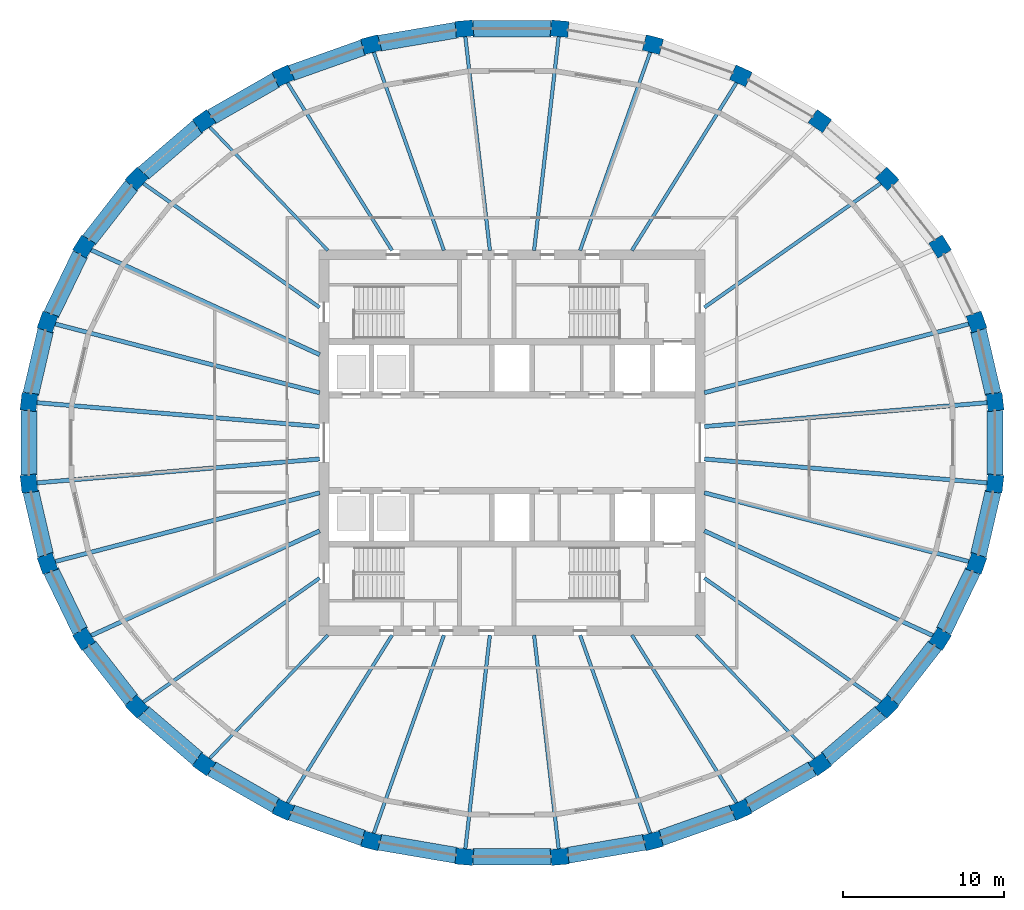
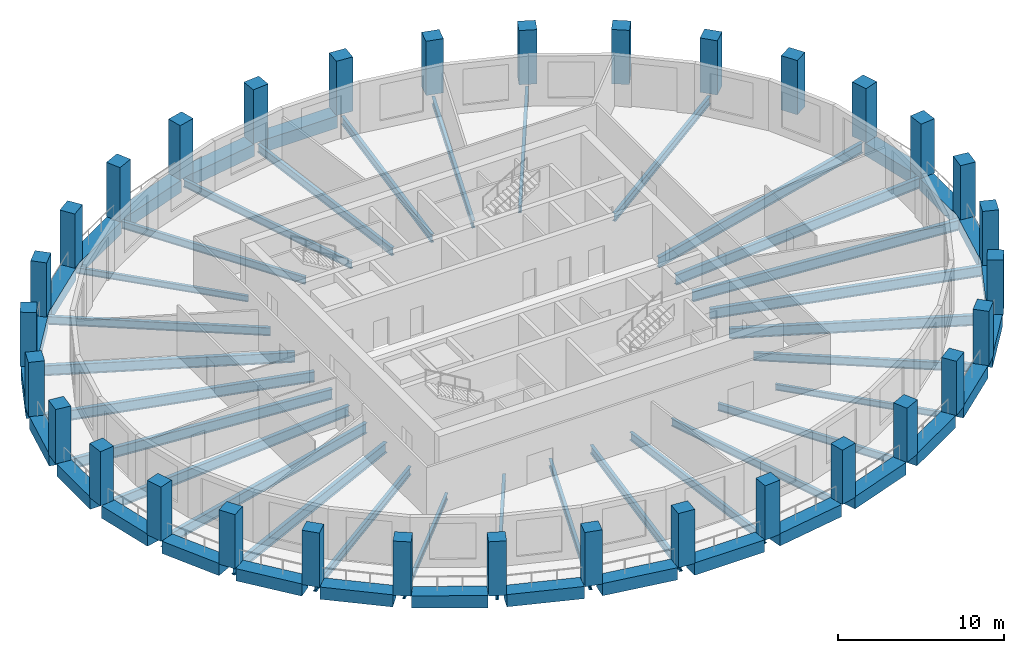
# One storey, part 1 of 10: 56 beams, 32 columns.
"""IFC4 building model written with IfcOpenShell, lengths in metres."""

from ifc_helpers import new_model, si_unit, direction, frame, origin, origin_2d, place, context, subcontext, project, spatial, rectangle, i_section, extrude, material, material_profile, profile_set, type_object, element, save


model = new_model("IFC4")

# Units and contexts
model_context = context("Model", 3, precision=1e-05, world=origin(), true_north=direction((0.0, 1.0)))
body_context = subcontext(model_context, "Body", "Model", "MODEL_VIEW")
ifc_project = project(units=[si_unit("LENGTHUNIT", "METRE"), si_unit("AREAUNIT", "SQUARE_METRE"), si_unit("VOLUMEUNIT", "CUBIC_METRE"), si_unit("PLANEANGLEUNIT", "RADIAN"), si_unit("MASSUNIT", "GRAM", prefix="KILO")], contexts=[model_context])

# Site, building, storey
site_placement = place(None, origin())
site = spatial("IfcSite", under=ifc_project, at=site_placement, CompositionType="ELEMENT")
building_placement = place(site_placement, origin())
building = spatial("IfcBuilding", under=site, at=building_placement, Name="Halqa Exchange Tower", CompositionType="ELEMENT")
storey_placement = place(building_placement, frame((0.0, 0.0, 256.300048828125)))
storey = spatial("IfcBuildingStorey", under=building, at=storey_placement, Name="L59", CompositionType="ELEMENT", Elevation=256.300048828125)

# Columns
ifc_material_1 = material(Name="Concrete C60/75", Category="concrete")
ifc_material_profile_1 = material_profile(ifc_material_1, rectangle(XDim=1.10009765625, YDim=1.0, at=origin_2d()), Name="1100 x 1000")
ifc_profile_set_1 = profile_set([ifc_material_profile_1], Name="Concrete C60/75")
column_type = type_object("IfcColumnType", Name="RC ring column 1100 x 1000 C60/75", PredefinedType="COLUMN", material=ifc_profile_set_1)
for number, where, z_axis, x_axis, name in (
    (1, (30.06494140625, 2.5380859375, 0.0), (0.0, 0.0, 1.0), (-0.114158655897, 0.993462531394, 0.0), "Ring column 1"),
    (2, (28.90966796875, 7.516845703125, 0.0), (0.0, 0.0, 1.0), (-0.333622588243, 0.942706724604, 0.0), "Ring column 2"),
    (3, (26.643310546875, 12.206787109375, 0.0), (0.0, 0.0, 1.0), (-0.529140496257, 0.848534227489, 0.0), "Ring column 3"),
    (4, (23.35302734375, 16.427490234375, 0.0), (0.0, 0.0, 1.0), (-0.691578612608, 0.722301199351, 0.0), "Ring column 4"),
    (5, (19.165283203125, 20.016845703125, 0.0), (0.0, 0.0, 1.0), (-0.817906779671, 0.575350762377, 0.0), "Ring column 5"),
    (6, (14.2412109375, 22.837158203125, 0.0), (0.0, 0.0, 1.0), (-0.909127822794, 0.416517228722, 0.0), "Ring column 6"),
    (7, (8.76953125, 24.77978515625, 0.0), (0.0, 0.0, 1.0), (-0.967820381973, 0.251642023988, 0.0), "Ring column 7"),
    (8, (2.961181640625, 25.77001953125, 0.0), (0.0, 0.0, 1.0), (-0.996455665803, 0.084119593962, 0.0), "Ring column 8"),
    (9, (-2.961181640625, 25.77001953125, 0.0), (0.0, 0.0, 1.0), (-0.996455665803, -0.084119593962, 0.0), "Ring column 9"),
    (10, (-8.76953125, 24.77978515625, 0.0), (0.0, 0.0, 1.0), (-0.967820381973, -0.251642023988, 0.0), "Ring column 10"),
    (11, (-14.2412109375, 22.837158203125, 0.0), (0.0, 0.0, 1.0), (-0.909127822794, -0.416517228722, 0.0), "Ring column 11"),
    (12, (-19.165283203125, 20.016845703125, 0.0), (0.0, 0.0, 1.0), (-0.817906779671, -0.575350762377, 0.0), "Ring column 12"),
    (13, (-23.35302734375, 16.427490234375, 0.0), (0.0, 0.0, 1.0), (-0.691578612608, -0.722301199351, 0.0), "Ring column 13"),
    (14, (-26.643310546875, 12.206787109375, 0.0), (0.0, 0.0, 1.0), (-0.529140496257, -0.848534227489, 0.0), "Ring column 14"),
    (15, (-28.90966796875, 7.516845703125, 0.0), (0.0, 0.0, 1.0), (-0.333622588243, -0.942706724604, 0.0), "Ring column 15"),
    (16, (-30.06494140625, 2.5380859375, 0.0), (0.0, 0.0, 1.0), (-0.114158655897, -0.993462531394, 0.0), "Ring column 16"),
    (17, (-30.06494140625, -2.5380859375, 0.0), (0.0, 0.0, 1.0), (0.114158655897, -0.993462531394, 0.0), "Ring column 17"),
    (18, (-28.90966796875, -7.516845703125, 0.0), (0.0, 0.0, 1.0), (0.333622588243, -0.942706724604, 0.0), "Ring column 18"),
    (19, (-26.643310546875, -12.206787109375, 0.0), (0.0, 0.0, 1.0), (0.529140496257, -0.848534227489, 0.0), "Ring column 19"),
    (20, (-23.35302734375, -16.427490234375, 0.0), (0.0, 0.0, 1.0), (0.691578612608, -0.722301199351, 0.0), "Ring column 20"),
    (21, (-19.165283203125, -20.016845703125, 0.0), (0.0, 0.0, 1.0), (0.817906779671, -0.575350762377, 0.0), "Ring column 21"),
    (22, (-14.2412109375, -22.837158203125, 0.0), (0.0, 0.0, 1.0), (0.909127822794, -0.416517228722, 0.0), "Ring column 22"),
    (23, (-8.76953125, -24.77978515625, 0.0), (0.0, 0.0, 1.0), (0.967820381973, -0.251642023988, 0.0), "Ring column 23"),
    (24, (-2.961181640625, -25.77001953125, 0.0), (0.0, 0.0, 1.0), (0.996455665803, -0.084119593962, 0.0), "Ring column 24"),
    (25, (2.961181640625, -25.77001953125, 0.0), (0.0, 0.0, 1.0), (0.996455665803, 0.084119593962, 0.0), "Ring column 25"),
    (26, (8.76953125, -24.77978515625, 0.0), (0.0, 0.0, 1.0), (0.967820381973, 0.251642023988, 0.0), "Ring column 26"),
    (27, (14.2412109375, -22.837158203125, 0.0), (0.0, 0.0, 1.0), (0.909127822794, 0.416517228722, 0.0), "Ring column 27"),
    (28, (19.165283203125, -20.016845703125, 0.0), (0.0, 0.0, 1.0), (0.817906779671, 0.575350762377, 0.0), "Ring column 28"),
    (29, (23.35302734375, -16.427490234375, 0.0), (0.0, 0.0, 1.0), (0.691578612608, 0.722301199351, 0.0), "Ring column 29"),
    (30, (26.643310546875, -12.206787109375, 0.0), (0.0, 0.0, 1.0), (0.529140496257, 0.848534227489, 0.0), "Ring column 30"),
    (31, (28.90966796875, -7.516845703125, 0.0), (0.0, 0.0, 1.0), (0.333622588243, 0.942706724604, 0.0), "Ring column 31"),
    (32, (30.06494140625, -2.5380859375, 0.0), (0.0, 0.0, 1.0), (0.114158655897, 0.993462531394, 0.0), "Ring column 32"),
):
    element("IfcColumn", number, at=place(storey_placement, frame(where, z_axis=z_axis, x_axis=x_axis)), inside=storey, type_object=column_type, Name=name, PredefinedType="COLUMN", context=body_context, shape_type="SweptSolid", body=[
        extrude(rectangle(XDim=1.10009765625, YDim=1.0, at=origin_2d()), origin(), (0.0, 0.0, 1.0), 4.0),
    ])

# Beams
ifc_material_2 = material(Name="Steel S355", Category="steel")
ifc_material_profile_2 = material_profile(ifc_material_2, i_section(OverallWidth=0.18994140625, OverallDepth=0.449951171875, WebThickness=0.009521484375, FlangeThickness=0.0146484375, FilletRadius=0.02099609375, at=origin_2d()), Name="IPE 450")
ifc_profile_set_2 = profile_set([ifc_material_profile_2], Name="Steel S355")
beam_type_1 = type_object("IfcBeamType", Name="Floor beam IPE 450", PredefinedType="BEAM", material=ifc_profile_set_2)
for number, where, z_axis, x_axis, name in (
    (33, (-11.462890625, 11.97216796875, -0.525146484375), (-0.691571250257, 0.722308248477, 0.0), (-0.722308248477, -0.691571250257, 0.0), "Radial beam 12"),
    (34, (-11.462890625, -11.97216796875, -0.525146484375), (-0.691571250257, -0.722308248477, 0.0), (0.722308248477, -0.691571250257, 0.0), "Radial beam 21"),
    (35, (11.462890625, -11.97216796875, -0.525146484375), (0.691571250257, -0.722308248477, 0.0), (0.722308248477, 0.691571250257, 0.0), "Radial beam 28"),
):
    element("IfcBeam", number, at=place(storey_placement, frame(where, z_axis=z_axis, x_axis=x_axis)), inside=storey, type_object=beam_type_1, Name=name, PredefinedType="BEAM", context=body_context, shape_type="SweptSolid", body=[
        extrude(i_section(OverallWidth=0.18994140625, OverallDepth=0.449951171875, WebThickness=0.009521484375, FlangeThickness=0.0146484375, FilletRadius=0.02099609375, at=origin_2d()), origin(), (0.0, 0.0, 1.0), 10.8896484375),
    ])
ifc_material_profile_3 = material_profile(ifc_material_2, i_section(OverallWidth=0.2099609375, OverallDepth=0.550048828125, WebThickness=0.010986328125, FlangeThickness=0.01708984375, FilletRadius=0.02392578125, at=origin_2d()), Name="IPE 550")
ifc_profile_set_3 = profile_set([ifc_material_profile_3], Name="Steel S355")
beam_type_2 = type_object("IfcBeamType", Name="Floor beam IPE 550", PredefinedType="BEAM", material=ifc_profile_set_3)
beam_1_placement = place(storey_placement, frame((7.46533203125, 11.971435546875, -0.574951171875), z_axis=(0.529149067811, 0.848528882263, 0.0), x_axis=(-0.848528882263, 0.529149067811, 0.0)))
element("IfcBeam", 36, at=beam_1_placement, inside=storey, type_object=beam_type_2, Name="Radial beam 6", PredefinedType="BEAM", context=body_context, shape_type="SweptSolid", body=[
    extrude(i_section(OverallWidth=0.2099609375, OverallDepth=0.550048828125, WebThickness=0.010986328125, FlangeThickness=0.01708984375, FilletRadius=0.02392578125, at=origin_2d()), origin(), (0.0, 0.0, 1.0), 12.55322265625),
])
for number, where, z_axis, x_axis, name in (
    (37, (4.23681640625, 11.971923828125, -0.574951171875), (0.333635977783, 0.942701985958, 0.0), (-0.942701985958, 0.333635977783, 0.0), "Radial beam 7"),
    (38, (-4.23681640625, 11.971923828125, -0.574951171875), (-0.333635977783, 0.942701985958, 0.0), (-0.942701985958, -0.333635977783, 0.0), "Radial beam 10"),
):
    element("IfcBeam", number, at=place(storey_placement, frame(where, z_axis=z_axis, x_axis=x_axis)), inside=storey, type_object=beam_type_2, Name=name, PredefinedType="BEAM", context=body_context, shape_type="SweptSolid", body=[
        extrude(i_section(OverallWidth=0.2099609375, OverallDepth=0.550048828125, WebThickness=0.010986328125, FlangeThickness=0.01708984375, FilletRadius=0.02392578125, at=origin_2d()), origin(), (0.0, 0.0, 1.0), 13.333984375),
    ])
for number, where, z_axis, x_axis, name in (
    (39, (-7.46533203125, 11.971435546875, -0.574951171875), (-0.529149067811, 0.848528882263, 0.0), (-0.848528882263, -0.529149067811, 0.0), "Radial beam 11"),
    (40, (-7.46533203125, -11.971435546875, -0.574951171875), (-0.529149067811, -0.848528882263, 0.0), (0.848528882263, -0.529149067811, 0.0), "Radial beam 22"),
):
    element("IfcBeam", number, at=place(storey_placement, frame(where, z_axis=z_axis, x_axis=x_axis)), inside=storey, type_object=beam_type_2, Name=name, PredefinedType="BEAM", context=body_context, shape_type="SweptSolid", body=[
        extrude(i_section(OverallWidth=0.2099609375, OverallDepth=0.550048828125, WebThickness=0.010986328125, FlangeThickness=0.01708984375, FilletRadius=0.02392578125, at=origin_2d()), origin(), (0.0, 0.0, 1.0), 12.55322265625),
    ])
for number, where, z_axis, x_axis, name in (
    (41, (-4.23681640625, -11.971923828125, -0.574951171875), (-0.333635977783, -0.942701985958, 0.0), (0.942701985958, -0.333635977783, 0.0), "Radial beam 23"),
    (42, (4.23681640625, -11.971923828125, -0.574951171875), (0.333635977783, -0.942701985958, 0.0), (0.942701985958, 0.333635977783, 0.0), "Radial beam 26"),
):
    element("IfcBeam", number, at=place(storey_placement, frame(where, z_axis=z_axis, x_axis=x_axis)), inside=storey, type_object=beam_type_2, Name=name, PredefinedType="BEAM", context=body_context, shape_type="SweptSolid", body=[
        extrude(i_section(OverallWidth=0.2099609375, OverallDepth=0.550048828125, WebThickness=0.010986328125, FlangeThickness=0.01708984375, FilletRadius=0.02392578125, at=origin_2d()), origin(), (0.0, 0.0, 1.0), 13.333984375),
    ])
beam_2_placement = place(storey_placement, frame((7.46533203125, -11.971435546875, -0.574951171875), z_axis=(0.529149067811, -0.848528882263, 0.0), x_axis=(0.848528882263, 0.529149067811, 0.0)))
element("IfcBeam", 43, at=beam_2_placement, inside=storey, type_object=beam_type_2, Name="Radial beam 27", PredefinedType="BEAM", context=body_context, shape_type="SweptSolid", body=[
    extrude(i_section(OverallWidth=0.2099609375, OverallDepth=0.550048828125, WebThickness=0.010986328125, FlangeThickness=0.01708984375, FilletRadius=0.02392578125, at=origin_2d()), origin(), (0.0, 0.0, 1.0), 12.55322265625),
])
ifc_material_profile_4 = material_profile(ifc_material_2, i_section(OverallWidth=0.219970703125, OverallDepth=0.60009765625, WebThickness=0.011962890625, FlangeThickness=0.01904296875, FilletRadius=0.02392578125, at=origin_2d()), Name="IPE 600")
ifc_profile_set_4 = profile_set([ifc_material_profile_4], Name="Steel S355")
beam_type_3 = type_object("IfcBeamType", Name="Floor beam IPE 600", PredefinedType="BEAM", material=ifc_profile_set_4)
beam_3_placement = place(storey_placement, frame((11.972412109375, 8.421875, -0.60009765625), z_axis=(0.817903224898, 0.575355815737, 0.0), x_axis=(-0.575355815737, 0.817903224898, 0.0)))
element("IfcBeam", 44, at=beam_3_placement, inside=storey, type_object=beam_type_3, Name="Radial beam 4", PredefinedType="BEAM", context=body_context, shape_type="SweptSolid", body=[
    extrude(i_section(OverallWidth=0.219970703125, OverallDepth=0.60009765625, WebThickness=0.011962890625, FlangeThickness=0.01904296875, FilletRadius=0.02392578125, at=origin_2d()), origin(), (0.0, 0.0, 1.0), 13.670166015625),
])
for number, where, z_axis, x_axis, name in (
    (45, (1.375732421875, 11.972412109375, -0.60009765625), (0.114153092287, 0.993463170692, 0.0), (-0.993463170692, 0.114153092287, 0.0), "Radial beam 8"),
    (46, (-1.375732421875, 11.972412109375, -0.60009765625), (-0.114153092287, 0.993463170692, 0.0), (-0.993463170692, -0.114153092287, 0.0), "Radial beam 9"),
):
    element("IfcBeam", number, at=place(storey_placement, frame(where, z_axis=z_axis, x_axis=x_axis)), inside=storey, type_object=beam_type_3, Name=name, PredefinedType="BEAM", context=body_context, shape_type="SweptSolid", body=[
        extrude(i_section(OverallWidth=0.219970703125, OverallDepth=0.60009765625, WebThickness=0.011962890625, FlangeThickness=0.01904296875, FilletRadius=0.02392578125, at=origin_2d()), origin(), (0.0, 0.0, 1.0), 13.63427734375),
    ])
for number, where, z_axis, x_axis, name in (
    (47, (-11.972412109375, 8.421875, -0.60009765625), (-0.817903224898, 0.575355815737, 0.0), (-0.575355815737, -0.817903224898, 0.0), "Radial beam 13"),
    (48, (-11.972412109375, -8.421875, -0.60009765625), (-0.817903224898, -0.575355815737, 0.0), (0.575355815737, -0.817903224898, 0.0), "Radial beam 20"),
):
    element("IfcBeam", number, at=place(storey_placement, frame(where, z_axis=z_axis, x_axis=x_axis)), inside=storey, type_object=beam_type_3, Name=name, PredefinedType="BEAM", context=body_context, shape_type="SweptSolid", body=[
        extrude(i_section(OverallWidth=0.219970703125, OverallDepth=0.60009765625, WebThickness=0.011962890625, FlangeThickness=0.01904296875, FilletRadius=0.02392578125, at=origin_2d()), origin(), (0.0, 0.0, 1.0), 13.670166015625),
    ])
for number, where, z_axis, x_axis, name in (
    (49, (-1.375732421875, -11.972412109375, -0.60009765625), (-0.114153092287, -0.993463170692, 0.0), (0.993463170692, -0.114153092287, 0.0), "Radial beam 24"),
    (50, (1.375732421875, -11.972412109375, -0.60009765625), (0.114153092287, -0.993463170692, 0.0), (0.993463170692, 0.114153092287, 0.0), "Radial beam 25"),
):
    element("IfcBeam", number, at=place(storey_placement, frame(where, z_axis=z_axis, x_axis=x_axis)), inside=storey, type_object=beam_type_3, Name=name, PredefinedType="BEAM", context=body_context, shape_type="SweptSolid", body=[
        extrude(i_section(OverallWidth=0.219970703125, OverallDepth=0.60009765625, WebThickness=0.011962890625, FlangeThickness=0.01904296875, FilletRadius=0.02392578125, at=origin_2d()), origin(), (0.0, 0.0, 1.0), 13.63427734375),
    ])
beam_4_placement = place(storey_placement, frame((11.972412109375, -8.421875, -0.60009765625), z_axis=(0.817903224898, -0.575355815737, 0.0), x_axis=(0.575355815737, 0.817903224898, 0.0)))
element("IfcBeam", 51, at=beam_4_placement, inside=storey, type_object=beam_type_3, Name="Radial beam 29", PredefinedType="BEAM", context=body_context, shape_type="SweptSolid", body=[
    extrude(i_section(OverallWidth=0.219970703125, OverallDepth=0.60009765625, WebThickness=0.011962890625, FlangeThickness=0.01904296875, FilletRadius=0.02392578125, at=origin_2d()), origin(), (0.0, 0.0, 1.0), 13.670166015625),
])
ifc_material_profile_5 = material_profile(ifc_material_2, i_section(OverallWidth=0.264892578125, OverallDepth=0.7529296875, WebThickness=0.01318359375, FlangeThickness=0.01708984375, FilletRadius=0.01708984375, at=origin_2d()), Name="IPE 750x147")
ifc_profile_set_5 = profile_set([ifc_material_profile_5], Name="Steel S355")
beam_type_4 = type_object("IfcBeamType", Name="Floor beam IPE 750x147", PredefinedType="BEAM", material=ifc_profile_set_5)
beam_5_placement = place(storey_placement, frame((11.972900390625, 1.0107421875, -0.676513671875), z_axis=(0.996455563902, 0.084120801042, 0.0), x_axis=(-0.084120801042, 0.996455563902, 0.0)))
element("IfcBeam", 52, at=beam_5_placement, inside=storey, type_object=beam_type_4, Name="Radial beam 1", PredefinedType="BEAM", context=body_context, shape_type="SweptSolid", body=[
    extrude(i_section(OverallWidth=0.264892578125, OverallDepth=0.7529296875, WebThickness=0.01318359375, FlangeThickness=0.01708984375, FilletRadius=0.01708984375, at=origin_2d()), origin(), (0.0, 0.0, 1.0), 17.92431640625),
])
beam_6_placement = place(storey_placement, frame((11.97265625, 3.113037109375, -0.676513671875), z_axis=(0.96781864941, 0.25164868737, 0.0), x_axis=(-0.25164868737, 0.96781864941, 0.0)))
element("IfcBeam", 53, at=beam_6_placement, inside=storey, type_object=beam_type_4, Name="Radial beam 2", PredefinedType="BEAM", context=body_context, shape_type="SweptSolid", body=[
    extrude(i_section(OverallWidth=0.264892578125, OverallDepth=0.7529296875, WebThickness=0.01318359375, FlangeThickness=0.01708984375, FilletRadius=0.01708984375, at=origin_2d()), origin(), (0.0, 0.0, 1.0), 17.26416015625),
])
beam_7_placement = place(storey_placement, frame((-11.972412109375, 5.485107421875, -0.676513671875), z_axis=(-0.909125405475, 0.416522504938, 0.0), x_axis=(-0.416522504938, -0.909125405475, 0.0)))
element("IfcBeam", 54, at=beam_7_placement, inside=storey, type_object=beam_type_4, Name="Radial beam 14", PredefinedType="BEAM", context=body_context, shape_type="SweptSolid", body=[
    extrude(i_section(OverallWidth=0.264892578125, OverallDepth=0.7529296875, WebThickness=0.01318359375, FlangeThickness=0.01708984375, FilletRadius=0.01708984375, at=origin_2d()), origin(), (0.0, 0.0, 1.0), 15.897216796875),
])
beam_8_placement = place(storey_placement, frame((-11.97265625, 3.113037109375, -0.676513671875), z_axis=(-0.96781864941, 0.25164868737, 0.0), x_axis=(-0.25164868737, -0.96781864941, 0.0)))
element("IfcBeam", 55, at=beam_8_placement, inside=storey, type_object=beam_type_4, Name="Radial beam 15", PredefinedType="BEAM", context=body_context, shape_type="SweptSolid", body=[
    extrude(i_section(OverallWidth=0.264892578125, OverallDepth=0.7529296875, WebThickness=0.01318359375, FlangeThickness=0.01708984375, FilletRadius=0.01708984375, at=origin_2d()), origin(), (0.0, 0.0, 1.0), 17.26416015625),
])
for number, where, z_axis, x_axis, name in (
    (56, (-11.972900390625, 1.0107421875, -0.676513671875), (-0.996455563902, 0.084120801042, 0.0), (-0.084120801042, -0.996455563902, 0.0), "Radial beam 16"),
    (57, (-11.972900390625, -1.0107421875, -0.676513671875), (-0.996455563902, -0.084120801042, 0.0), (0.084120801042, -0.996455563902, 0.0), "Radial beam 17"),
):
    element("IfcBeam", number, at=place(storey_placement, frame(where, z_axis=z_axis, x_axis=x_axis)), inside=storey, type_object=beam_type_4, Name=name, PredefinedType="BEAM", context=body_context, shape_type="SweptSolid", body=[
        extrude(i_section(OverallWidth=0.264892578125, OverallDepth=0.7529296875, WebThickness=0.01318359375, FlangeThickness=0.01708984375, FilletRadius=0.01708984375, at=origin_2d()), origin(), (0.0, 0.0, 1.0), 17.92431640625),
    ])
beam_9_placement = place(storey_placement, frame((-11.97265625, -3.113037109375, -0.676513671875), z_axis=(-0.96781864941, -0.25164868737, 0.0), x_axis=(0.25164868737, -0.96781864941, 0.0)))
element("IfcBeam", 58, at=beam_9_placement, inside=storey, type_object=beam_type_4, Name="Radial beam 18", PredefinedType="BEAM", context=body_context, shape_type="SweptSolid", body=[
    extrude(i_section(OverallWidth=0.264892578125, OverallDepth=0.7529296875, WebThickness=0.01318359375, FlangeThickness=0.01708984375, FilletRadius=0.01708984375, at=origin_2d()), origin(), (0.0, 0.0, 1.0), 17.26416015625),
])
for number, where, z_axis, x_axis, name in (
    (59, (-11.972412109375, -5.485107421875, -0.676513671875), (-0.909125405475, -0.416522504938, 0.0), (0.416522504938, -0.909125405475, 0.0), "Radial beam 19"),
    (60, (11.972412109375, -5.485107421875, -0.676513671875), (0.909125405475, -0.416522504938, 0.0), (0.416522504938, 0.909125405475, 0.0), "Radial beam 30"),
):
    element("IfcBeam", number, at=place(storey_placement, frame(where, z_axis=z_axis, x_axis=x_axis)), inside=storey, type_object=beam_type_4, Name=name, PredefinedType="BEAM", context=body_context, shape_type="SweptSolid", body=[
        extrude(i_section(OverallWidth=0.264892578125, OverallDepth=0.7529296875, WebThickness=0.01318359375, FlangeThickness=0.01708984375, FilletRadius=0.01708984375, at=origin_2d()), origin(), (0.0, 0.0, 1.0), 15.897216796875),
    ])
beam_10_placement = place(storey_placement, frame((11.97265625, -3.113037109375, -0.676513671875), z_axis=(0.96781864941, -0.25164868737, 0.0), x_axis=(0.25164868737, 0.96781864941, 0.0)))
element("IfcBeam", 61, at=beam_10_placement, inside=storey, type_object=beam_type_4, Name="Radial beam 31", PredefinedType="BEAM", context=body_context, shape_type="SweptSolid", body=[
    extrude(i_section(OverallWidth=0.264892578125, OverallDepth=0.7529296875, WebThickness=0.01318359375, FlangeThickness=0.01708984375, FilletRadius=0.01708984375, at=origin_2d()), origin(), (0.0, 0.0, 1.0), 17.26416015625),
])
beam_11_placement = place(storey_placement, frame((11.972900390625, -1.0107421875, -0.676513671875), z_axis=(0.996455563902, -0.084120801042, 0.0), x_axis=(0.084120801042, 0.996455563902, 0.0)))
element("IfcBeam", 62, at=beam_11_placement, inside=storey, type_object=beam_type_4, Name="Radial beam 32", PredefinedType="BEAM", context=body_context, shape_type="SweptSolid", body=[
    extrude(i_section(OverallWidth=0.264892578125, OverallDepth=0.7529296875, WebThickness=0.01318359375, FlangeThickness=0.01708984375, FilletRadius=0.01708984375, at=origin_2d()), origin(), (0.0, 0.0, 1.0), 17.92431640625),
])
ifc_material_profile_6 = material_profile(ifc_material_1, rectangle(XDim=1.0, YDim=0.89990234375, at=origin_2d()), Name="1000 x 900")
ifc_profile_set_6 = profile_set([ifc_material_profile_6], Name="Concrete C60/75")
beam_type_5 = type_object("IfcBeamType", Name="RC spandrel beam 1000 x 900 C60/75", PredefinedType="SPANDREL", material=ifc_profile_set_6)
beam_12_placement = place(storey_placement, frame((29.9462890625, 3.04931640625, -0.449951171875), z_axis=(-0.226031895623, 0.974119901327, 0.0), x_axis=(-0.974119901327, -0.226031895623, 0.0)))
element("IfcBeam", 63, at=beam_12_placement, inside=storey, type_object=beam_type_5, Name="Spandrel 1", PredefinedType="SPANDREL", context=body_context, shape_type="SweptSolid", body=[
    extrude(rectangle(XDim=1.0, YDim=0.89990234375, at=origin_2d()), origin(), (0.0, 0.0, 1.0), 4.06005859375),
])
beam_13_placement = place(storey_placement, frame((2.4375, 25.77001953125, -0.449951171875), z_axis=(-1.0, 0.0, 0.0), x_axis=(0.0, -1.0, 0.0)))
element("IfcBeam", 64, at=beam_13_placement, inside=storey, type_object=beam_type_5, Name="Spandrel 8", PredefinedType="SPANDREL", context=body_context, shape_type="SweptSolid", body=[
    extrude(rectangle(XDim=1.0, YDim=0.89990234375, at=origin_2d()), origin(), (0.0, 0.0, 1.0), 4.875),
])
beam_14_placement = place(storey_placement, frame((-3.4775390625, 25.681884765625, -0.449951171875), z_axis=(-0.985781051948, -0.168034870249, 0.0), x_axis=(0.168034870249, -0.985781051948, 0.0)))
element("IfcBeam", 65, at=beam_14_placement, inside=storey, type_object=beam_type_5, Name="Spandrel 9", PredefinedType="SPANDREL", context=body_context, shape_type="SweptSolid", body=[
    extrude(rectangle(XDim=1.0, YDim=0.89990234375, at=origin_2d()), origin(), (0.0, 0.0, 1.0), 4.843994140625),
])
beam_15_placement = place(storey_placement, frame((-9.26416015625, 24.60400390625, -0.449951171875), z_axis=(-0.942372957307, -0.334564208094, 0.0), x_axis=(0.334564208094, -0.942372957307, 0.0)))
element("IfcBeam", 66, at=beam_15_placement, inside=storey, type_object=beam_type_5, Name="Spandrel 10", PredefinedType="SPANDREL", context=body_context, shape_type="SweptSolid", body=[
    extrude(rectangle(XDim=1.0, YDim=0.89990234375, at=origin_2d()), origin(), (0.0, 0.0, 1.0), 4.7578125),
])
beam_16_placement = place(storey_placement, frame((-14.6962890625, 22.576416015625, -0.449951171875), z_axis=(-0.867755612748, -0.496991143326, 0.0), x_axis=(0.496991143326, -0.867755612748, 0.0)))
element("IfcBeam", 67, at=beam_16_placement, inside=storey, type_object=beam_type_5, Name="Spandrel 11", PredefinedType="SPANDREL", context=body_context, shape_type="SweptSolid", body=[
    extrude(rectangle(XDim=1.0, YDim=0.89990234375, at=origin_2d()), origin(), (0.0, 0.0, 1.0), 4.62646484375),
])
beam_17_placement = place(storey_placement, frame((-19.563720703125, 19.67529296875, -0.449951171875), z_axis=(-0.75927203536, -0.650773367864, 0.0), x_axis=(0.650773367864, -0.75927203536, 0.0)))
element("IfcBeam", 68, at=beam_17_placement, inside=storey, type_object=beam_type_5, Name="Spandrel 12", PredefinedType="SPANDREL", context=body_context, shape_type="SweptSolid", body=[
    extrude(rectangle(XDim=1.0, YDim=0.89990234375, at=origin_2d()), origin(), (0.0, 0.0, 1.0), 4.466552734375),
])
beam_18_placement = place(storey_placement, frame((-23.676025390625, 16.012939453125, -0.449951171875), z_axis=(-0.614851813623, -0.788642661339, 0.0), x_axis=(0.788642661339, -0.614851813623, 0.0)))
element("IfcBeam", 69, at=beam_18_placement, inside=storey, type_object=beam_type_5, Name="Spandrel 13", PredefinedType="SPANDREL", context=body_context, shape_type="SweptSolid", body=[
    extrude(rectangle(XDim=1.0, YDim=0.89990234375, at=origin_2d()), origin(), (0.0, 0.0, 1.0), 4.301513671875),
])
beam_19_placement = place(storey_placement, frame((-26.872314453125, 11.733154296875, -0.449951171875), z_axis=(-0.435052831025, -0.900404927917, 0.0), x_axis=(0.900404927917, -0.435052831025, 0.0)))
element("IfcBeam", 70, at=beam_19_placement, inside=storey, type_object=beam_type_5, Name="Spandrel 14", PredefinedType="SPANDREL", context=body_context, shape_type="SweptSolid", body=[
    extrude(rectangle(XDim=1.0, YDim=0.89990234375, at=origin_2d()), origin(), (0.0, 0.0, 1.0), 4.15771484375),
])
beam_20_placement = place(storey_placement, frame((-29.028564453125, 7.00439453125, -0.449951171875), z_axis=(-0.226031895623, -0.974119901327, 0.0), x_axis=(0.974119901327, -0.226031895623, 0.0)))
element("IfcBeam", 71, at=beam_20_placement, inside=storey, type_object=beam_type_5, Name="Spandrel 15", PredefinedType="SPANDREL", context=body_context, shape_type="SweptSolid", body=[
    extrude(rectangle(XDim=1.0, YDim=0.89990234375, at=origin_2d()), origin(), (0.0, 0.0, 1.0), 4.06005859375),
])
beam_21_placement = place(storey_placement, frame((-30.06494140625, 2.01318359375, -0.449951171875), z_axis=(0.0, -1.0, 0.0), x_axis=(1.0, 0.0, 0.0)))
element("IfcBeam", 72, at=beam_21_placement, inside=storey, type_object=beam_type_5, Name="Spandrel 16", PredefinedType="SPANDREL", context=body_context, shape_type="SweptSolid", body=[
    extrude(rectangle(XDim=1.0, YDim=0.89990234375, at=origin_2d()), origin(), (0.0, 0.0, 1.0), 4.0263671875),
])
beam_22_placement = place(storey_placement, frame((-29.9462890625, -3.04931640625, -0.449951171875), z_axis=(0.226031895623, -0.974119901327, 0.0), x_axis=(0.974119901327, 0.226031895623, 0.0)))
element("IfcBeam", 73, at=beam_22_placement, inside=storey, type_object=beam_type_5, Name="Spandrel 17", PredefinedType="SPANDREL", context=body_context, shape_type="SweptSolid", body=[
    extrude(rectangle(XDim=1.0, YDim=0.89990234375, at=origin_2d()), origin(), (0.0, 0.0, 1.0), 4.06005859375),
])
beam_23_placement = place(storey_placement, frame((-28.68115234375, -7.989501953125, -0.449951171875), z_axis=(0.435052831025, -0.900404927917, 0.0), x_axis=(0.900404927917, 0.435052831025, 0.0)))
element("IfcBeam", 74, at=beam_23_placement, inside=storey, type_object=beam_type_5, Name="Spandrel 18", PredefinedType="SPANDREL", context=body_context, shape_type="SweptSolid", body=[
    extrude(rectangle(XDim=1.0, YDim=0.89990234375, at=origin_2d()), origin(), (0.0, 0.0, 1.0), 4.15771484375),
])
beam_24_placement = place(storey_placement, frame((-26.32080078125, -12.62060546875, -0.449951171875), z_axis=(0.614851813623, -0.788642661339, 0.0), x_axis=(0.788642661339, 0.614851813623, 0.0)))
element("IfcBeam", 75, at=beam_24_placement, inside=storey, type_object=beam_type_5, Name="Spandrel 19", PredefinedType="SPANDREL", context=body_context, shape_type="SweptSolid", body=[
    extrude(rectangle(XDim=1.0, YDim=0.89990234375, at=origin_2d()), origin(), (0.0, 0.0, 1.0), 4.301513671875),
])
beam_25_placement = place(storey_placement, frame((-22.955078125, -16.7685546875, -0.449951171875), z_axis=(0.75927203536, -0.650773367864, 0.0), x_axis=(0.650773367864, 0.75927203536, 0.0)))
element("IfcBeam", 76, at=beam_25_placement, inside=storey, type_object=beam_type_5, Name="Spandrel 20", PredefinedType="SPANDREL", context=body_context, shape_type="SweptSolid", body=[
    extrude(rectangle(XDim=1.0, YDim=0.89990234375, at=origin_2d()), origin(), (0.0, 0.0, 1.0), 4.466552734375),
])
beam_26_placement = place(storey_placement, frame((-18.7109375, -20.277099609375, -0.449951171875), z_axis=(0.867755612748, -0.496991143326, 0.0), x_axis=(0.496991143326, 0.867755612748, 0.0)))
element("IfcBeam", 77, at=beam_26_placement, inside=storey, type_object=beam_type_5, Name="Spandrel 21", PredefinedType="SPANDREL", context=body_context, shape_type="SweptSolid", body=[
    extrude(rectangle(XDim=1.0, YDim=0.89990234375, at=origin_2d()), origin(), (0.0, 0.0, 1.0), 4.62646484375),
])
beam_27_placement = place(storey_placement, frame((-13.747802734375, -23.01220703125, -0.449951171875), z_axis=(0.942372957307, -0.334564208094, 0.0), x_axis=(0.334564208094, 0.942372957307, 0.0)))
element("IfcBeam", 78, at=beam_27_placement, inside=storey, type_object=beam_type_5, Name="Spandrel 22", PredefinedType="SPANDREL", context=body_context, shape_type="SweptSolid", body=[
    extrude(rectangle(XDim=1.0, YDim=0.89990234375, at=origin_2d()), origin(), (0.0, 0.0, 1.0), 4.7578125),
])
beam_28_placement = place(storey_placement, frame((-8.252685546875, -24.867919921875, -0.449951171875), z_axis=(0.985781051948, -0.168034870249, 0.0), x_axis=(0.168034870249, 0.985781051948, 0.0)))
element("IfcBeam", 79, at=beam_28_placement, inside=storey, type_object=beam_type_5, Name="Spandrel 23", PredefinedType="SPANDREL", context=body_context, shape_type="SweptSolid", body=[
    extrude(rectangle(XDim=1.0, YDim=0.89990234375, at=origin_2d()), origin(), (0.0, 0.0, 1.0), 4.843994140625),
])
beam_29_placement = place(storey_placement, frame((-2.4375, -25.77001953125, -0.449951171875), z_axis=(1.0, 0.0, 0.0), x_axis=(0.0, 1.0, 0.0)))
element("IfcBeam", 80, at=beam_29_placement, inside=storey, type_object=beam_type_5, Name="Spandrel 24", PredefinedType="SPANDREL", context=body_context, shape_type="SweptSolid", body=[
    extrude(rectangle(XDim=1.0, YDim=0.89990234375, at=origin_2d()), origin(), (0.0, 0.0, 1.0), 4.875),
])
beam_30_placement = place(storey_placement, frame((3.4775390625, -25.681884765625, -0.449951171875), z_axis=(0.985781051948, 0.168034870249, 0.0), x_axis=(-0.168034870249, 0.985781051948, 0.0)))
element("IfcBeam", 81, at=beam_30_placement, inside=storey, type_object=beam_type_5, Name="Spandrel 25", PredefinedType="SPANDREL", context=body_context, shape_type="SweptSolid", body=[
    extrude(rectangle(XDim=1.0, YDim=0.89990234375, at=origin_2d()), origin(), (0.0, 0.0, 1.0), 4.843994140625),
])
beam_31_placement = place(storey_placement, frame((9.26416015625, -24.60400390625, -0.449951171875), z_axis=(0.942372957307, 0.334564208094, 0.0), x_axis=(-0.334564208094, 0.942372957307, 0.0)))
element("IfcBeam", 82, at=beam_31_placement, inside=storey, type_object=beam_type_5, Name="Spandrel 26", PredefinedType="SPANDREL", context=body_context, shape_type="SweptSolid", body=[
    extrude(rectangle(XDim=1.0, YDim=0.89990234375, at=origin_2d()), origin(), (0.0, 0.0, 1.0), 4.7578125),
])
beam_32_placement = place(storey_placement, frame((14.6962890625, -22.576416015625, -0.449951171875), z_axis=(0.867755612748, 0.496991143326, 0.0), x_axis=(-0.496991143326, 0.867755612748, 0.0)))
element("IfcBeam", 83, at=beam_32_placement, inside=storey, type_object=beam_type_5, Name="Spandrel 27", PredefinedType="SPANDREL", context=body_context, shape_type="SweptSolid", body=[
    extrude(rectangle(XDim=1.0, YDim=0.89990234375, at=origin_2d()), origin(), (0.0, 0.0, 1.0), 4.62646484375),
])
beam_33_placement = place(storey_placement, frame((19.563720703125, -19.67529296875, -0.449951171875), z_axis=(0.75927203536, 0.650773367864, 0.0), x_axis=(-0.650773367864, 0.75927203536, 0.0)))
element("IfcBeam", 84, at=beam_33_placement, inside=storey, type_object=beam_type_5, Name="Spandrel 28", PredefinedType="SPANDREL", context=body_context, shape_type="SweptSolid", body=[
    extrude(rectangle(XDim=1.0, YDim=0.89990234375, at=origin_2d()), origin(), (0.0, 0.0, 1.0), 4.466552734375),
])
beam_34_placement = place(storey_placement, frame((23.676025390625, -16.012939453125, -0.449951171875), z_axis=(0.614851813623, 0.788642661339, 0.0), x_axis=(-0.788642661339, 0.614851813623, 0.0)))
element("IfcBeam", 85, at=beam_34_placement, inside=storey, type_object=beam_type_5, Name="Spandrel 29", PredefinedType="SPANDREL", context=body_context, shape_type="SweptSolid", body=[
    extrude(rectangle(XDim=1.0, YDim=0.89990234375, at=origin_2d()), origin(), (0.0, 0.0, 1.0), 4.301513671875),
])
beam_35_placement = place(storey_placement, frame((26.872314453125, -11.733154296875, -0.449951171875), z_axis=(0.435052831025, 0.900404927917, 0.0), x_axis=(-0.900404927917, 0.435052831025, 0.0)))
element("IfcBeam", 86, at=beam_35_placement, inside=storey, type_object=beam_type_5, Name="Spandrel 30", PredefinedType="SPANDREL", context=body_context, shape_type="SweptSolid", body=[
    extrude(rectangle(XDim=1.0, YDim=0.89990234375, at=origin_2d()), origin(), (0.0, 0.0, 1.0), 4.15771484375),
])
beam_36_placement = place(storey_placement, frame((29.028564453125, -7.00439453125, -0.449951171875), z_axis=(0.226031895623, 0.974119901327, 0.0), x_axis=(-0.974119901327, 0.226031895623, 0.0)))
element("IfcBeam", 87, at=beam_36_placement, inside=storey, type_object=beam_type_5, Name="Spandrel 31", PredefinedType="SPANDREL", context=body_context, shape_type="SweptSolid", body=[
    extrude(rectangle(XDim=1.0, YDim=0.89990234375, at=origin_2d()), origin(), (0.0, 0.0, 1.0), 4.06005859375),
])
beam_37_placement = place(storey_placement, frame((30.06494140625, -2.01318359375, -0.449951171875), z_axis=(0.0, 1.0, 0.0), x_axis=(-1.0, 0.0, 0.0)))
element("IfcBeam", 88, at=beam_37_placement, inside=storey, type_object=beam_type_5, Name="Spandrel 32", PredefinedType="SPANDREL", context=body_context, shape_type="SweptSolid", body=[
    extrude(rectangle(XDim=1.0, YDim=0.89990234375, at=origin_2d()), origin(), (0.0, 0.0, 1.0), 4.0263671875),
])

save(model, "model.ifc")
